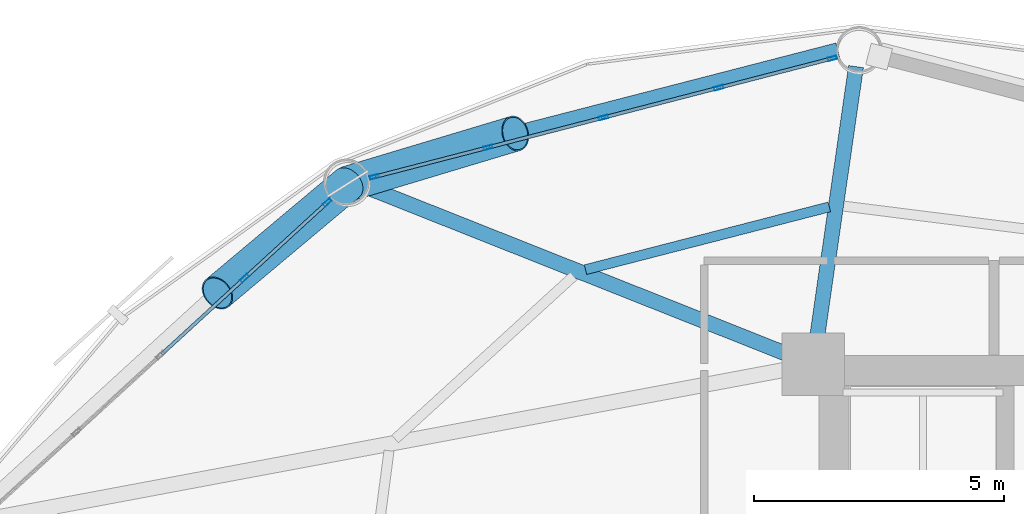
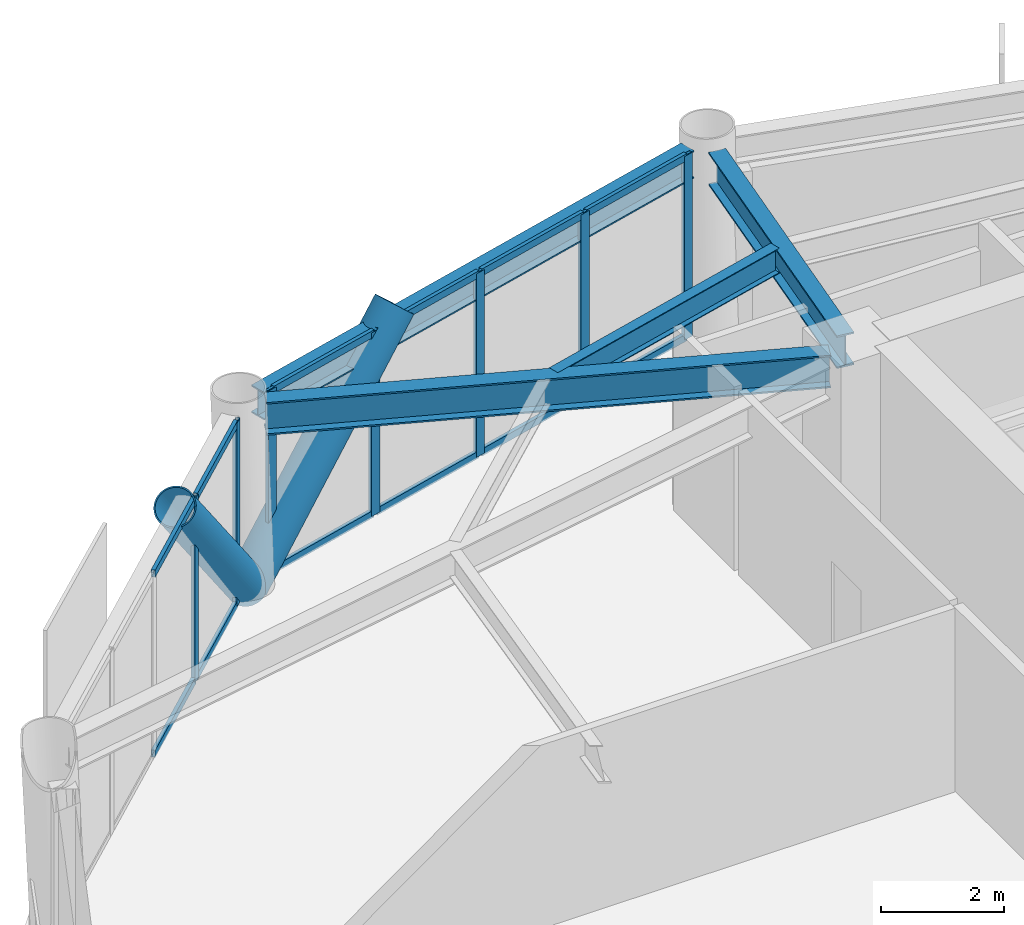
# One storey, part 18 of 25: 21 members, 4 beams, 2 elements without a shape of their own.
"""IFC4 building model written with IfcOpenShell, lengths in metres."""

from ifc_helpers import new_model, si_unit, direction, frame, origin, origin_2d, place, context, subcontext, project, spatial, hollow_rectangle, hollow_circle, i_section, extrude, material, layer, layer_set, material_profile, profile_set, type_object, element, aggregate, save


model = new_model("IFC4")

# Units and contexts
model_context = context("Model", 3, precision=1e-05, world=origin(), true_north=direction((0.0, 1.0)))
body_context = subcontext(model_context, "Body", "Model", "MODEL_VIEW")
ifc_project = project(units=[si_unit("LENGTHUNIT", "METRE"), si_unit("AREAUNIT", "SQUARE_METRE"), si_unit("VOLUMEUNIT", "CUBIC_METRE"), si_unit("PLANEANGLEUNIT", "RADIAN"), si_unit("MASSUNIT", "GRAM", prefix="KILO")], contexts=[model_context])

# Site, building, storey
site_placement = place(None, origin())
site = spatial("IfcSite", under=ifc_project, at=site_placement, CompositionType="ELEMENT")
building_placement = place(site_placement, origin())
building = spatial("IfcBuilding", under=site, at=building_placement, Name="Varnakorn Sky Granary", CompositionType="ELEMENT")
storey_placement = place(building_placement, frame((0.0, 0.0, 39.300048828125)))
storey = spatial("IfcBuildingStorey", under=building, at=storey_placement, Name="L09", CompositionType="ELEMENT", Elevation=39.300048828125)

# Beams
ifc_material_1 = material(Name="Steel S355JR", Category="steel")
ifc_material_profile_1 = material_profile(ifc_material_1, i_section(OverallWidth=0.300048828125, OverallDepth=0.64990234375, WebThickness=0.01611328125, FlangeThickness=0.031005859375, at=origin_2d()), Name="HE 650 B")
ifc_profile_set_1 = profile_set([ifc_material_profile_1], Name="Steel S355JR")
beam_type_1 = type_object("IfcBeamType", Name="BM-RAD-Z1", PredefinedType="BEAM", material=ifc_profile_set_1)
beam_1_placement = place(storey_placement, frame((-2.360107421875, 13.03564453125, 3.31494140625), z_axis=(0.142269255263, 0.989827994657, 0.0), x_axis=(-0.989827994657, 0.142269255263, 0.0)))
element("IfcBeam", 1, at=beam_1_placement, inside=storey, type_object=beam_type_1, Name="Radial Floor Girder RG04 L09", PredefinedType="BEAM", context=body_context, shape_type="SweptSolid", body=[
    extrude(i_section(OverallWidth=0.300048828125, OverallDepth=0.64990234375, WebThickness=0.01611328125, FlangeThickness=0.031005859375, at=origin_2d()), origin(), (0.0, 0.0, 1.0), 5.602783203125),
])
beam_2_placement = place(storey_placement, frame((-2.810302734375, 12.77490234375, 3.31494140625), z_axis=(-0.929401544621, 0.369070140835, 0.0), x_axis=(-0.369070140835, -0.929401544621, 0.0)))
element("IfcBeam", 2, at=beam_2_placement, inside=storey, type_object=beam_type_1, Name="Radial Floor Girder RG05 L09", PredefinedType="BEAM", context=body_context, shape_type="SweptSolid", body=[
    extrude(i_section(OverallWidth=0.300048828125, OverallDepth=0.64990234375, WebThickness=0.01611328125, FlangeThickness=0.031005859375, at=origin_2d()), origin(), (0.0, 0.0, 1.0), 9.255615234375),
])
ifc_material_profile_2 = material_profile(ifc_material_1, i_section(OverallWidth=0.199951171875, OverallDepth=0.5, WebThickness=0.01025390625, FlangeThickness=0.01611328125, at=origin_2d()), Name="IPE 500")
ifc_profile_set_2 = profile_set([ifc_material_profile_2], Name="Steel S355JR")
beam_type_2 = type_object("IfcBeamType", Name="BM-SEC-Z1", PredefinedType="BEAM", material=ifc_profile_set_2)
beam_3_placement = place(storey_placement, frame((-2.09716796875, 15.773681640625, 3.389892578125), z_axis=(-0.968431455701, -0.249279994402, 0.0), x_axis=(0.249279994402, -0.968431455701, 0.0)))
element("IfcBeam", 3, at=beam_3_placement, inside=storey, type_object=beam_type_2, Name="Secondary Floor Chord Beam MSB04 L09", PredefinedType="BEAM", context=body_context, shape_type="SweptSolid", body=[
    extrude(i_section(OverallWidth=0.199951171875, OverallDepth=0.5, WebThickness=0.01025390625, FlangeThickness=0.01611328125, at=origin_2d()), origin(), (0.0, 0.0, 1.0), 5.037841796875),
])
ifc_material_profile_3 = material_profile(ifc_material_1, i_section(OverallWidth=0.300048828125, OverallDepth=0.550048828125, WebThickness=0.014892578125, FlangeThickness=0.029052734375, at=origin_2d()), Name="HE 550 B")
ifc_profile_set_3 = profile_set([ifc_material_profile_3], Name="Steel S355JR")
beam_type_3 = type_object("IfcBeamType", Name="BM-SPD-Z1", PredefinedType="SPANDREL", material=ifc_profile_set_3)
beam_4_placement = place(storey_placement, frame((-1.927978515625, 18.908447265625, 3.364990234375), z_axis=(-0.968262121446, -0.249936920387, 0.0), x_axis=(0.249936920387, -0.968262121446, 0.0)))
element("IfcBeam", 4, at=beam_4_placement, inside=storey, type_object=beam_type_3, Name="Perimeter Spandrel Ring Beam RB04 L09", PredefinedType="SPANDREL", context=body_context, shape_type="SweptSolid", body=[
    extrude(i_section(OverallWidth=0.300048828125, OverallDepth=0.550048828125, WebThickness=0.014892578125, FlangeThickness=0.029052734375, at=origin_2d()), origin(), (0.0, 0.0, 1.0), 9.77783203125),
])

# Curtain wall, members
ifc_material_2 = material(Name="Anodised Bronze Aluminium Alloy 6063-T6", Category="aluminium")
ifc_layer = layer(ifc_material_2, 0.18994140625, Name="Anodised Bronze Aluminium Alloy 6063-T6")
ifc_layer_set = layer_set([ifc_layer], Name="Anodised Bronze Aluminium Alloy 6063-T6")
curtain_wall_type = type_object("IfcCurtainWallType", Name="CW-FRM-1", PredefinedType="USERDEFINED", material=ifc_layer_set)
curtain_wall_1_placement = place(storey_placement, origin())
curtain_wall_1 = element("IfcCurtainWall", 5, at=curtain_wall_1_placement, inside=storey, type_object=curtain_wall_type, Name="Unitised Curtain Wall CW3 CW-L09-B04", ObjectType="CURTAIN WALL", PredefinedType="USERDEFINED")
ifc_material_profile_4 = material_profile(ifc_material_2, hollow_rectangle(XDim=0.070068359375, YDim=0.18505859375, WallThickness=0.00390625, at=origin_2d()), Name="ALU MULL 70x185")
ifc_profile_set_4 = profile_set([ifc_material_profile_4], Name="Anodised Bronze Aluminium Alloy 6063-T6")
member_type_1 = type_object("IfcMemberType", Name="CW-FRM-1-MULL", PredefinedType="MULLION", material=ifc_profile_set_4)
member_1_placement = place(storey_placement, frame((-11.201171875, 16.374267578125, 0.0), z_axis=(0.0, 0.0, 1.0), x_axis=(-0.250359949128, 0.968152826713, 0.0)))
member_1 = element("IfcMember", 6, at=member_1_placement, type_object=member_type_1, Name="CW3 mullion 1", PredefinedType="MULLION", context=body_context, shape_type="SweptSolid", body=[
    extrude(hollow_rectangle(XDim=0.070068359375, YDim=0.18505859375, WallThickness=0.00390625, at=origin_2d()), origin(), (0.0, 0.0, 1.0), 3.639892578125),
])
member_2_placement = place(storey_placement, frame((-8.92626953125, 16.962646484375, 0.0), z_axis=(0.0, 0.0, 1.0), x_axis=(-0.250359949128, 0.968152826713, 0.0)))
member_2 = element("IfcMember", 7, at=member_2_placement, type_object=member_type_1, Name="CW3 mullion 2", PredefinedType="MULLION", context=body_context, shape_type="SweptSolid", body=[
    extrude(hollow_rectangle(XDim=0.070068359375, YDim=0.18505859375, WallThickness=0.00390625, at=origin_2d()), origin(), (0.0, 0.0, 1.0), 3.639892578125),
])
member_3_placement = place(storey_placement, frame((-6.61767578125, 17.5595703125, 0.0), z_axis=(0.0, 0.0, 1.0), x_axis=(-0.250359949128, 0.968152826713, 0.0)))
member_3 = element("IfcMember", 8, at=member_3_placement, type_object=member_type_1, Name="CW3 mullion 3", PredefinedType="MULLION", context=body_context, shape_type="SweptSolid", body=[
    extrude(hollow_rectangle(XDim=0.070068359375, YDim=0.18505859375, WallThickness=0.00390625, at=origin_2d()), origin(), (0.0, 0.0, 1.0), 3.639892578125),
])
member_4_placement = place(storey_placement, frame((-4.30908203125, 18.156494140625, 0.0), z_axis=(0.0, 0.0, 1.0), x_axis=(-0.250359949128, 0.968152826713, 0.0)))
member_4 = element("IfcMember", 9, at=member_4_placement, type_object=member_type_1, Name="CW3 mullion 4", PredefinedType="MULLION", context=body_context, shape_type="SweptSolid", body=[
    extrude(hollow_rectangle(XDim=0.070068359375, YDim=0.18505859375, WallThickness=0.00390625, at=origin_2d()), origin(), (0.0, 0.0, 1.0), 3.639892578125),
])
member_5_placement = place(storey_placement, frame((-2.034423828125, 18.744873046875, 0.0), z_axis=(0.0, 0.0, 1.0), x_axis=(-0.250359949128, 0.968152826713, 0.0)))
member_5 = element("IfcMember", 10, at=member_5_placement, type_object=member_type_1, Name="CW3 mullion 5", PredefinedType="MULLION", context=body_context, shape_type="SweptSolid", body=[
    extrude(hollow_rectangle(XDim=0.070068359375, YDim=0.18505859375, WallThickness=0.00390625, at=origin_2d()), origin(), (0.0, 0.0, 1.0), 3.639892578125),
])

curtain_wall_2_placement = place(storey_placement, origin())
curtain_wall_2 = element("IfcCurtainWall", 11, at=curtain_wall_2_placement, inside=storey, type_object=curtain_wall_type, Name="Unitised Curtain Wall CW3 CW-L09-B05", ObjectType="CURTAIN WALL", PredefinedType="USERDEFINED")
member_6_placement = place(storey_placement, frame((-13.79931640625, 14.345947265625, 0.0), z_axis=(0.0, 0.0, 1.0), x_axis=(-0.675388643465, 0.73746198565, 0.0)))
member_6 = element("IfcMember", 12, at=member_6_placement, type_object=member_type_1, Name="CW3 mullion 4", PredefinedType="MULLION", context=body_context, shape_type="SweptSolid", body=[
    extrude(hollow_rectangle(XDim=0.070068359375, YDim=0.18505859375, WallThickness=0.00390625, at=origin_2d()), origin(), (0.0, 0.0, 1.0), 3.639892578125),
])
member_7_placement = place(storey_placement, frame((-12.142578125, 15.86328125, 0.0), z_axis=(0.0, 0.0, 1.0), x_axis=(-0.675388643465, 0.73746198565, 0.0)))
member_7 = element("IfcMember", 13, at=member_7_placement, type_object=member_type_1, Name="CW3 mullion 5", PredefinedType="MULLION", context=body_context, shape_type="SweptSolid", body=[
    extrude(hollow_rectangle(XDim=0.070068359375, YDim=0.18505859375, WallThickness=0.00390625, at=origin_2d()), origin(), (0.0, 0.0, 1.0), 3.639892578125),
])

# Member
ifc_material_profile_5 = material_profile(ifc_material_2, hollow_rectangle(XDim=0.070068359375, YDim=0.139892578125, WallThickness=0.00341796875, at=origin_2d()), Name="ALU TRAN 70x140")
ifc_profile_set_5 = profile_set([ifc_material_profile_5], Name="Anodised Bronze Aluminium Alloy 6063-T6")
member_type_2 = type_object("IfcMemberType", Name="CW-FRM-1-TRAN", PredefinedType="USERDEFINED", material=ifc_profile_set_5)
member_8_placement = place(storey_placement, frame((-11.167236328125, 16.383056640625, 0.034912109375), z_axis=(0.968145121188, 0.250389744838, 0.0), x_axis=(-0.250389744838, 0.968145121188, 0.0)))
member_8 = element("IfcMember", 14, at=member_8_placement, type_object=member_type_2, Name="CW3 transom 1.1", ObjectType="TRANSOM", PredefinedType="USERDEFINED", context=body_context, shape_type="SweptSolid", body=[
    extrude(hollow_rectangle(XDim=0.070068359375, YDim=0.139892578125, WallThickness=0.00341796875, at=origin_2d()), origin(), (0.0, 0.0, 1.0), 2.279541015625),
])

member_9_placement = place(storey_placement, frame((-11.167236328125, 16.383056640625, 3.60498046875), z_axis=(0.968145121188, 0.250389744838, 0.0), x_axis=(-0.250389744838, 0.968145121188, 0.0)))
member_9 = element("IfcMember", 15, at=member_9_placement, type_object=member_type_2, Name="CW3 transom 1.2", ObjectType="TRANSOM", PredefinedType="USERDEFINED", context=body_context, shape_type="SweptSolid", body=[
    extrude(hollow_rectangle(XDim=0.070068359375, YDim=0.139892578125, WallThickness=0.00341796875, at=origin_2d()), origin(), (0.0, 0.0, 1.0), 2.279541015625),
])

member_10_placement = place(storey_placement, frame((-8.892578125, 16.971435546875, 0.034912109375), z_axis=(0.968169390175, 0.250295888755, 0.0), x_axis=(-0.250295888755, 0.968169390175, 0.0)))
member_10 = element("IfcMember", 16, at=member_10_placement, type_object=member_type_2, Name="CW3 transom 2.1", ObjectType="TRANSOM", PredefinedType="USERDEFINED", context=body_context, shape_type="SweptSolid", body=[
    extrude(hollow_rectangle(XDim=0.070068359375, YDim=0.139892578125, WallThickness=0.00341796875, at=origin_2d()), origin(), (0.0, 0.0, 1.0), 2.314697265625),
])

member_11_placement = place(storey_placement, frame((-8.892578125, 16.971435546875, 3.60498046875), z_axis=(0.968169390175, 0.250295888755, 0.0), x_axis=(-0.250295888755, 0.968169390175, 0.0)))
member_11 = element("IfcMember", 17, at=member_11_placement, type_object=member_type_2, Name="CW3 transom 2.2", ObjectType="TRANSOM", PredefinedType="USERDEFINED", context=body_context, shape_type="SweptSolid", body=[
    extrude(hollow_rectangle(XDim=0.070068359375, YDim=0.139892578125, WallThickness=0.00341796875, at=origin_2d()), origin(), (0.0, 0.0, 1.0), 2.314697265625),
])

member_12_placement = place(storey_placement, frame((-6.583984375, 17.568359375, 0.034912109375), z_axis=(0.968143825791, 0.250394753506, 0.0), x_axis=(-0.250394753506, 0.968143825791, 0.0)))
member_12 = element("IfcMember", 18, at=member_12_placement, type_object=member_type_2, Name="CW3 transom 3.1", ObjectType="TRANSOM", PredefinedType="USERDEFINED", context=body_context, shape_type="SweptSolid", body=[
    extrude(hollow_rectangle(XDim=0.070068359375, YDim=0.139892578125, WallThickness=0.00341796875, at=origin_2d()), origin(), (0.0, 0.0, 1.0), 2.314697265625),
])

member_13_placement = place(storey_placement, frame((-6.583984375, 17.568359375, 3.60498046875), z_axis=(0.968143825791, 0.250394753506, 0.0), x_axis=(-0.250394753506, 0.968143825791, 0.0)))
member_13 = element("IfcMember", 19, at=member_13_placement, type_object=member_type_2, Name="CW3 transom 3.2", ObjectType="TRANSOM", PredefinedType="USERDEFINED", context=body_context, shape_type="SweptSolid", body=[
    extrude(hollow_rectangle(XDim=0.070068359375, YDim=0.139892578125, WallThickness=0.00341796875, at=origin_2d()), origin(), (0.0, 0.0, 1.0), 2.314697265625),
])

member_14_placement = place(storey_placement, frame((-4.275146484375, 18.165283203125, 0.034912109375), z_axis=(0.968138405776, 0.250415708895, 0.0), x_axis=(-0.250415708895, 0.968138405776, 0.0)))
member_14 = element("IfcMember", 20, at=member_14_placement, type_object=member_type_2, Name="CW3 transom 4.1", ObjectType="TRANSOM", PredefinedType="USERDEFINED", context=body_context, shape_type="SweptSolid", body=[
    extrude(hollow_rectangle(XDim=0.070068359375, YDim=0.139892578125, WallThickness=0.00341796875, at=origin_2d()), origin(), (0.0, 0.0, 1.0), 2.279296875),
])

member_15_placement = place(storey_placement, frame((-4.275146484375, 18.165283203125, 3.60498046875), z_axis=(0.968138405776, 0.250415708895, 0.0), x_axis=(-0.250415708895, 0.968138405776, 0.0)))
member_15 = element("IfcMember", 21, at=member_15_placement, type_object=member_type_2, Name="CW3 transom 4.2", ObjectType="TRANSOM", PredefinedType="USERDEFINED", context=body_context, shape_type="SweptSolid", body=[
    extrude(hollow_rectangle(XDim=0.070068359375, YDim=0.139892578125, WallThickness=0.00341796875, at=origin_2d()), origin(), (0.0, 0.0, 1.0), 2.279296875),
])

aggregate(curtain_wall_1, [member_1, member_2, member_3, member_4, member_5, member_8, member_9, member_10, member_11, member_12, member_13, member_14, member_15])

member_16_placement = place(storey_placement, frame((-15.4560546875, 12.828857421875, 0.034912109375), z_axis=(0.737447350023, 0.675404623869, 0.0), x_axis=(-0.675404623869, 0.737447350023, 0.0)))
member_16 = element("IfcMember", 22, at=member_16_placement, type_object=member_type_2, Name="CW3 transom 3.1", ObjectType="TRANSOM", PredefinedType="USERDEFINED", context=body_context, shape_type="SweptSolid", body=[
    extrude(hollow_rectangle(XDim=0.070068359375, YDim=0.139892578125, WallThickness=0.00341796875, at=origin_2d()), origin(), (0.0, 0.0, 1.0), 2.21142578125),
])

member_17_placement = place(storey_placement, frame((-15.4560546875, 12.828857421875, 3.60498046875), z_axis=(0.737447350023, 0.675404623869, 0.0), x_axis=(-0.675404623869, 0.737447350023, 0.0)))
member_17 = element("IfcMember", 23, at=member_17_placement, type_object=member_type_2, Name="CW3 transom 3.2", ObjectType="TRANSOM", PredefinedType="USERDEFINED", context=body_context, shape_type="SweptSolid", body=[
    extrude(hollow_rectangle(XDim=0.070068359375, YDim=0.139892578125, WallThickness=0.00341796875, at=origin_2d()), origin(), (0.0, 0.0, 1.0), 2.21142578125),
])

member_18_placement = place(storey_placement, frame((-13.773681640625, 14.36962890625, 0.034912109375), z_axis=(0.737438067317, 0.675414759146, 0.0), x_axis=(-0.675414759146, 0.737438067317, 0.0)))
member_18 = element("IfcMember", 24, at=member_18_placement, type_object=member_type_2, Name="CW3 transom 4.1", ObjectType="TRANSOM", PredefinedType="USERDEFINED", context=body_context, shape_type="SweptSolid", body=[
    extrude(hollow_rectangle(XDim=0.070068359375, YDim=0.139892578125, WallThickness=0.00341796875, at=origin_2d()), origin(), (0.0, 0.0, 1.0), 2.1767578125),
])

member_19_placement = place(storey_placement, frame((-13.773681640625, 14.36962890625, 3.60498046875), z_axis=(0.737438067317, 0.675414759146, 0.0), x_axis=(-0.675414759146, 0.737438067317, 0.0)))
member_19 = element("IfcMember", 25, at=member_19_placement, type_object=member_type_2, Name="CW3 transom 4.2", ObjectType="TRANSOM", PredefinedType="USERDEFINED", context=body_context, shape_type="SweptSolid", body=[
    extrude(hollow_rectangle(XDim=0.070068359375, YDim=0.139892578125, WallThickness=0.00341796875, at=origin_2d()), origin(), (0.0, 0.0, 1.0), 2.1767578125),
])

aggregate(curtain_wall_2, [member_6, member_7, member_16, member_17, member_18, member_19])

# Members
ifc_material_3 = material(Name="Steel S460M", Category="steel")
ifc_material_profile_6 = material_profile(ifc_material_3, hollow_circle(Radius=0.35546875, WallThickness=0.02490234375, at=origin_2d()), Name="CHS 711x25")
ifc_profile_set_6 = profile_set([ifc_material_profile_6], Name="Steel S460M")
member_type_3 = type_object("IfcMemberType", Name="MB-DIAG-T0", PredefinedType="BRACE", material=ifc_profile_set_6)
member_20_placement = place(storey_placement, frame((-11.735595703125, 16.236083984375, 0.0), z_axis=(0.649914104041, 0.194997890262, 0.734566185011), x_axis=(-0.287379874154, 0.957816688063, 0.0)))
element("IfcMember", 26, at=member_20_placement, inside=storey, type_object=member_type_3, Name="Perimeter CHS Diagrid Brace DG04 L09", PredefinedType="BRACE", context=body_context, shape_type="SweptSolid", body=[
    extrude(hollow_circle(Radius=0.35546875, WallThickness=0.02490234375, at=origin_2d()), origin(), (0.0, 0.0, 1.0), 5.15966796875),
])
member_21_placement = place(storey_placement, frame((-11.735595703125, 16.236083984375, 0.0), z_axis=(-0.511860095256, -0.429218514041, 0.744157718558), x_axis=(0.642538877105, -0.766253085742, 0.0)))
element("IfcMember", 27, at=member_21_placement, inside=storey, type_object=member_type_3, Name="Perimeter CHS Diagrid Brace DG05 L09", PredefinedType="BRACE", context=body_context, shape_type="SweptSolid", body=[
    extrude(hollow_circle(Radius=0.35546875, WallThickness=0.02490234375, at=origin_2d()), origin(), (0.0, 0.0, 1.0), 5.093017578125),
])

save(model, "model.ifc")
